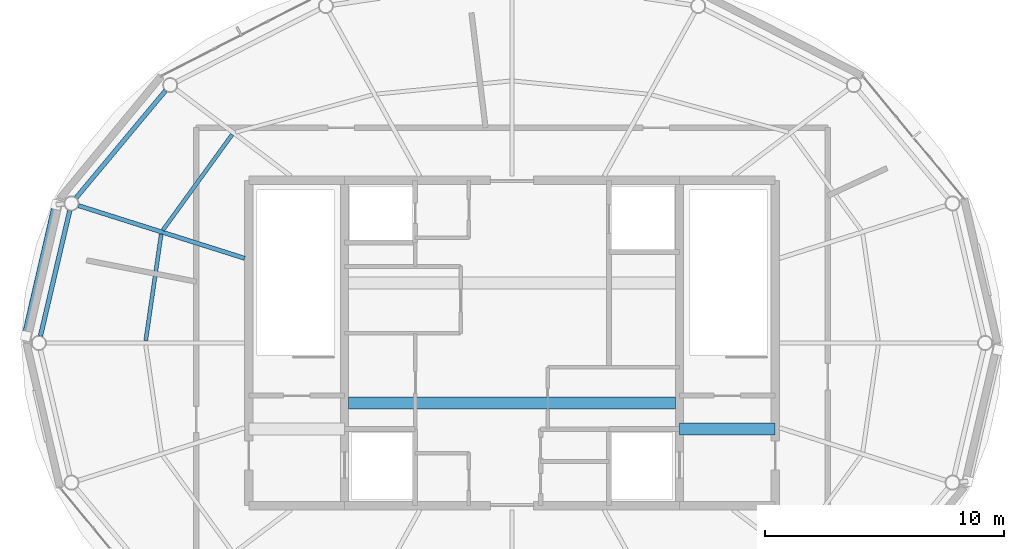
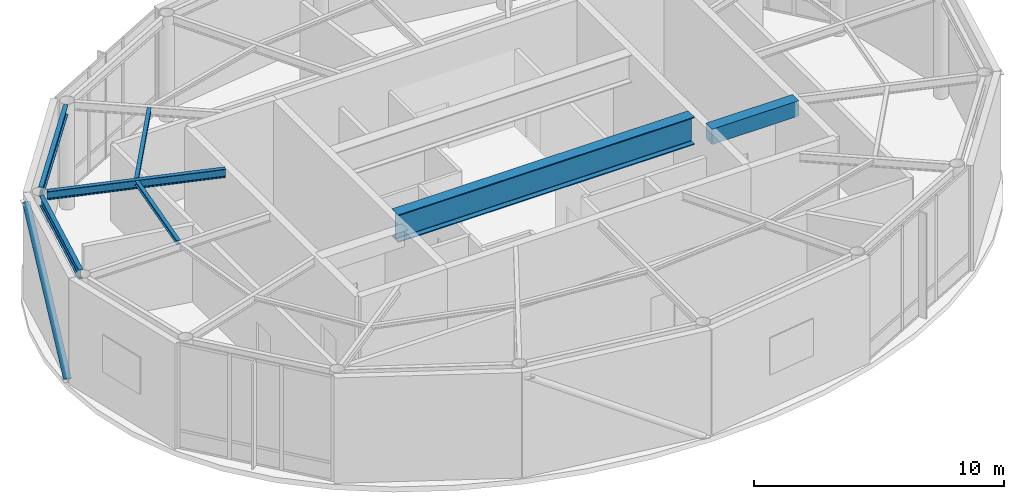
# One storey, part 6 of 14: 7 beams, 1 member.
"""IFC4 building model written with IfcOpenShell, lengths in metres."""

from ifc_helpers import new_model, si_unit, direction, frame, origin, origin_2d, place, context, subcontext, project, spatial, rectangle, hollow_circle, i_section, extrude, material, material_profile, profile_set, type_object, element, save


model = new_model("IFC4")

# Units and contexts
model_context = context("Model", 3, precision=1e-05, world=origin(), true_north=direction((0.0, 1.0)))
body_context = subcontext(model_context, "Body", "Model", "MODEL_VIEW")
ifc_project = project(units=[si_unit("LENGTHUNIT", "METRE"), si_unit("AREAUNIT", "SQUARE_METRE"), si_unit("VOLUMEUNIT", "CUBIC_METRE"), si_unit("PLANEANGLEUNIT", "RADIAN"), si_unit("MASSUNIT", "GRAM", prefix="KILO")], contexts=[model_context])

# Site, building, storey
site_placement = place(None, origin())
site = spatial("IfcSite", under=ifc_project, at=site_placement, CompositionType="ELEMENT")
building_placement = place(site_placement, origin())
building = spatial("IfcBuilding", under=site, at=building_placement, Name="Sarneth Arch Tower", CompositionType="ELEMENT")
storey_placement = place(building_placement, frame((0.0, 0.0, 321.60009765625)))
storey = spatial("IfcBuildingStorey", under=building, at=storey_placement, Name="L83", CompositionType="ELEMENT", Elevation=321.60009765625)

# Beams
ifc_material_1 = material(Name="Steel S355", Category="steel")
ifc_material_profile_1 = material_profile(ifc_material_1, i_section(OverallWidth=0.1650390625, OverallDepth=0.200927734375, WebThickness=0.006103515625, FlangeThickness=0.01025390625, FilletRadius=0.010009765625, at=origin_2d()), Name="W200x35.9")
ifc_profile_set_1 = profile_set([ifc_material_profile_1], Name="Steel S355")
beam_type_1 = type_object("IfcBeamType", Name="BM-JOIST-200", PredefinedType="JOIST", material=ifc_profile_set_1)
beam_1_placement = place(storey_placement, frame((36.30322265625, 50.714599609375, 5.039306640625), z_axis=(-0.587186987897, -0.809451321109, 0.0), x_axis=(0.809451321109, -0.587186987897, 0.0)))
element("IfcBeam", 1, at=beam_1_placement, inside=storey, type_object=beam_type_1, Name="L83 Secondary floor joist 07", PredefinedType="JOIST", context=body_context, shape_type="SweptSolid", body=[
    extrude(i_section(OverallWidth=0.1650390625, OverallDepth=0.200927734375, WebThickness=0.006103515625, FlangeThickness=0.01025390625, FilletRadius=0.010009765625, at=origin_2d()), origin(), (0.0, 0.0, 1.0), 4.940673828125),
])
beam_2_placement = place(storey_placement, frame((33.336181640625, 46.55322265625, 5.039306640625), z_axis=(-0.143747114528, -0.989614453747, 0.0), x_axis=(0.989614453747, -0.143747114528, 0.0)))
element("IfcBeam", 2, at=beam_2_placement, inside=storey, type_object=beam_type_1, Name="L83 Secondary floor joist 08", PredefinedType="JOIST", context=body_context, shape_type="SweptSolid", body=[
    extrude(i_section(OverallWidth=0.1650390625, OverallDepth=0.200927734375, WebThickness=0.006103515625, FlangeThickness=0.01025390625, FilletRadius=0.010009765625, at=origin_2d()), origin(), (0.0, 0.0, 1.0), 4.510986328125),
])
ifc_material_2 = material(Name="Concrete C50/60", Category="concrete")
ifc_material_profile_2 = material_profile(ifc_material_2, rectangle(XDim=0.5, YDim=0.75, at=origin_2d()), Name="RC-500x750")
ifc_profile_set_2 = profile_set([ifc_material_profile_2], Name="Concrete C50/60")
beam_type_2 = type_object("IfcBeamType", Name="BM-LINTEL-RC", PredefinedType="LINTEL", material=ifc_profile_set_2)
beam_3_placement = place(storey_placement, frame((55.0, 38.39990234375, 4.764892578125), z_axis=(1.0, 0.0, 0.0), x_axis=(0.0, 1.0, 0.0)))
element("IfcBeam", 3, at=beam_3_placement, inside=storey, type_object=beam_type_2, Name="L83 Core coupling lintel E", PredefinedType="LINTEL", context=body_context, shape_type="SweptSolid", body=[
    extrude(rectangle(XDim=0.5, YDim=0.75, at=origin_2d()), origin(), (0.0, 0.0, 1.0), 4.0),
])
ifc_material_3 = material(Name="Steel S355", Category="steel")
ifc_material_profile_3 = material_profile(ifc_material_3, i_section(OverallWidth=0.179931640625, OverallDepth=0.4130859375, WebThickness=0.009765625, FlangeThickness=0.01611328125, FilletRadius=0.01611328125, at=origin_2d()), Name="W410x75")
ifc_profile_set_3 = profile_set([ifc_material_profile_3], Name="Steel S355")
beam_type_3 = type_object("IfcBeamType", Name="BM-RAD-410B", PredefinedType="BEAM", material=ifc_profile_set_3)
beam_4_placement = place(storey_placement, frame((36.824951171875, 45.541015625, 4.933349609375), z_axis=(-0.953282145376, 0.302081365376, 0.0), x_axis=(-0.302081365376, -0.953282145376, 0.0)))
element("IfcBeam", 4, at=beam_4_placement, inside=storey, type_object=beam_type_3, Name="L83 Radial floor girder 08", PredefinedType="BEAM", context=body_context, shape_type="SweptSolid", body=[
    extrude(i_section(OverallWidth=0.179931640625, OverallDepth=0.4130859375, WebThickness=0.009765625, FlangeThickness=0.01611328125, FilletRadius=0.01611328125, at=origin_2d()), origin(), (0.0, 0.0, 1.0), 7.292236328125),
])
ifc_material_4 = material(Name="Steel S355", Category="steel")
ifc_material_profile_4 = material_profile(ifc_material_4, i_section(OverallWidth=0.19189453125, OverallDepth=0.462890625, WebThickness=0.010498046875, FlangeThickness=0.017578125, FilletRadius=0.01806640625, at=origin_2d()), Name="W460x89")
ifc_profile_set_4 = profile_set([ifc_material_profile_4], Name="Steel S355")
beam_type_4 = type_object("IfcBeamType", Name="BM-RAD-460B", PredefinedType="BEAM", material=ifc_profile_set_4)
beam_5_placement = place(storey_placement, frame((33.515625, 52.54931640625, 4.908447265625), z_axis=(-0.64067411458, -0.767812919211, 0.0), x_axis=(0.767812919211, -0.64067411458, 0.0)))
element("IfcBeam", 5, at=beam_5_placement, inside=storey, type_object=beam_type_4, Name="L83 Perimeter spandrel beam 07", PredefinedType="BEAM", context=body_context, shape_type="SweptSolid", body=[
    extrude(i_section(OverallWidth=0.19189453125, OverallDepth=0.462890625, WebThickness=0.010498046875, FlangeThickness=0.017578125, FilletRadius=0.01806640625, at=origin_2d()), origin(), (0.0, 0.0, 1.0), 5.833740234375),
])
beam_6_placement = place(storey_placement, frame((29.51318359375, 47.538818359375, 4.908447265625), z_axis=(-0.227416006803, -0.973797699653, 0.0), x_axis=(0.973797699653, -0.227416006803, 0.0)))
element("IfcBeam", 6, at=beam_6_placement, inside=storey, type_object=beam_type_4, Name="L83 Perimeter spandrel beam 08", PredefinedType="BEAM", context=body_context, shape_type="SweptSolid", body=[
    extrude(i_section(OverallWidth=0.19189453125, OverallDepth=0.462890625, WebThickness=0.010498046875, FlangeThickness=0.017578125, FilletRadius=0.01806640625, at=origin_2d()), origin(), (0.0, 0.0, 1.0), 5.3828125),
])
ifc_material_5 = material(Name="Steel S355", Category="steel")
ifc_material_profile_5 = material_profile(ifc_material_5, i_section(OverallWidth=0.5, OverallDepth=1.35009765625, WebThickness=0.02197265625, FlangeThickness=0.044921875, FilletRadius=0.02392578125, at=origin_2d()), Name="CVS1350x595")
ifc_profile_set_5 = profile_set([ifc_material_profile_5], Name="Steel S355")
beam_type_5 = type_object("IfcBeamType", Name="BM-XFER-1350", PredefinedType="BEAM", material=ifc_profile_set_5)
beam_7_placement = place(storey_placement, frame((41.175048828125, 39.5, 4.46484375), z_axis=(1.0, 0.0, 0.0), x_axis=(0.0, 1.0, 0.0)))
element("IfcBeam", 7, at=beam_7_placement, inside=storey, type_object=beam_type_5, Name="L83 Broadcast mast transfer girder S", PredefinedType="BEAM", context=body_context, shape_type="SweptSolid", body=[
    extrude(i_section(OverallWidth=0.5, OverallDepth=1.35009765625, WebThickness=0.02197265625, FlangeThickness=0.044921875, FilletRadius=0.02392578125, at=origin_2d()), origin(), (0.0, 0.0, 1.0), 13.64990234375),
])

# Member
ifc_material_6 = material(Name="Steel S355", Category="steel")
ifc_material_profile_6 = material_profile(ifc_material_6, hollow_circle(Radius=0.162109375, WallThickness=0.012451171875, at=origin_2d()), Name="CHS324x12.5")
ifc_profile_set_6 = profile_set([ifc_material_profile_6], Name="Steel S355")
member_type = type_object("IfcMemberType", Name="MEM-DIAG-BR3", PredefinedType="BRACE", material=ifc_profile_set_6)
member_placement = place(storey_placement, frame((27.675048828125, 42.292236328125, 0.02001953125), z_axis=(0.17086811369, 0.739092473308, 0.651572255106), x_axis=(-0.97430207007, 0.225245369002, 0.0)))
element("IfcMember", 8, at=member_placement, inside=storey, type_object=member_type, Name="L83 Perimeter frame diagonal 08", PredefinedType="BRACE", context=body_context, shape_type="SweptSolid", body=[
    extrude(hollow_circle(Radius=0.162109375, WallThickness=0.012451171875, at=origin_2d()), origin(), (0.0, 0.0, 1.0), 7.431396484375),
])

save(model, "model.ifc")
